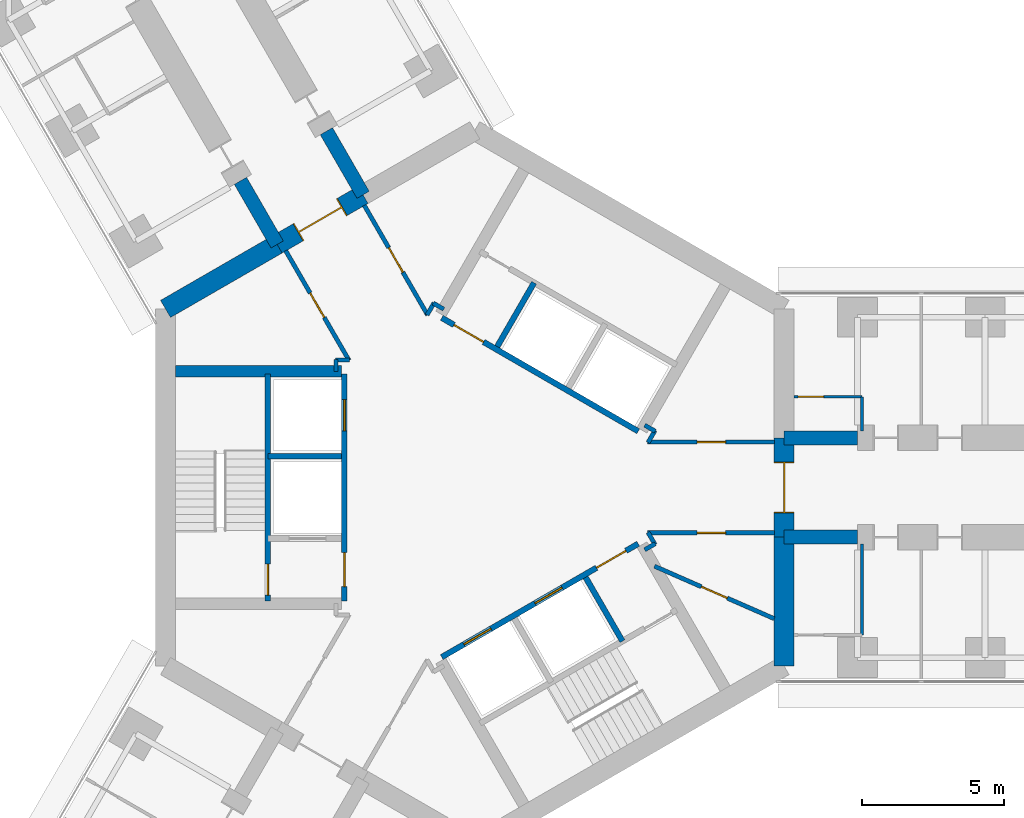
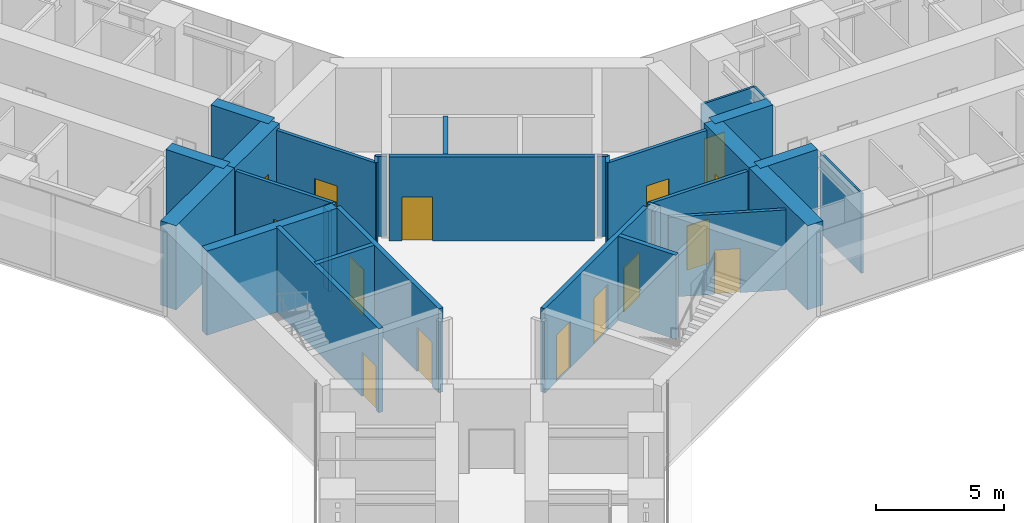
# One storey, part 18 of 25: 32 walls, 15 doors, 15 openings.
"""IFC4 building model written with IfcOpenShell, lengths in metres."""

from ifc_helpers import new_model, si_unit, direction, frame, frame_2d, origin, place, context, subcontext, project, spatial, rectangle, extrude, material, layer, layer_set, type_object, element, fill, save


model = new_model("IFC4")

# Units and contexts
model_context = context("Model", 3, precision=1e-05, world=origin(), true_north=direction((0.0, 1.0)))
body_context = subcontext(model_context, "Body", "Model", "MODEL_VIEW")
ifc_project = project(units=[si_unit("LENGTHUNIT", "METRE"), si_unit("AREAUNIT", "SQUARE_METRE"), si_unit("VOLUMEUNIT", "CUBIC_METRE"), si_unit("PLANEANGLEUNIT", "RADIAN"), si_unit("MASSUNIT", "GRAM", prefix="KILO")], contexts=[model_context])

# Site, building, storey
site_placement = place(None, origin())
site = spatial("IfcSite", under=ifc_project, at=site_placement, CompositionType="ELEMENT")
building_placement = place(site_placement, origin())
building = spatial("IfcBuilding", under=site, at=building_placement, Name="Upepo Twin Towers", CompositionType="ELEMENT")
storey_placement = place(building_placement, frame((0.0, 0.0, 72.5)))
storey = spatial("IfcBuildingStorey", under=building, at=storey_placement, Name="L17", CompositionType="ELEMENT", Elevation=72.5)

# Walls
ifc_material_1 = material(Name="Concrete C60/75", Category="concrete")
ifc_layer_1 = layer(ifc_material_1, 0.5)
ifc_layer_set_1 = layer_set([ifc_layer_1], Name="Concrete C60/75")
wall_type_1 = type_object("IfcWallType", Name="Buttress wall 500 RC", PredefinedType="SHEAR", material=ifc_layer_set_1)
for number, where, z_axis, x_axis, name in (
    (1, (10.908447265625, 1.75, 0.0), (0.0, 0.0, 1.0), (1.0, 0.0, 0.0), "T1 wing A buttress wall L"),
    (2, (10.908447265625, -1.75, 0.0), (0.0, 0.0, 1.0), (1.0, 0.0, 0.0), "T1 wing A buttress wall R"),
):
    element("IfcWall", number, at=place(storey_placement, frame(where, z_axis=z_axis, x_axis=x_axis)), inside=storey, type_object=wall_type_1, Name=name, PredefinedType="SHEAR", context=body_context, shape_type="SweptSolid", body=[
        extrude(rectangle(XDim=2.591552734375, YDim=0.5, at=frame_2d((1.2958984375, 0.0))), origin(), (0.0, 0.0, 1.0), 4.0),
    ])
for number, where, z_axis, x_axis, name in (
    (3, (-6.9697265625, 8.57177734375, 0.0), (0.0, 0.0, 1.0), (-0.499988811324, 0.866031863473, 0.0), "T1 wing B buttress wall L"),
    (4, (-3.938720703125, 10.32177734375, 0.0), (0.0, 0.0, 1.0), (-0.499918158782, 0.866072649678, 0.0), "T1 wing B buttress wall R"),
):
    element("IfcWall", number, at=place(storey_placement, frame(where, z_axis=z_axis, x_axis=x_axis)), inside=storey, type_object=wall_type_1, Name=name, PredefinedType="SHEAR", context=body_context, shape_type="SweptSolid", body=[
        extrude(rectangle(XDim=2.591796875, YDim=0.5, at=frame_2d((1.2958984375, 0.0))), origin(), (0.0, 0.0, 1.0), 4.0),
    ])
ifc_material_2 = material(Name="Concrete C60/75", Category="concrete")
ifc_layer_2 = layer(ifc_material_2, 0.699951171875)
ifc_layer_set_2 = layer_set([ifc_layer_2], Name="Concrete C60/75")
wall_type_2 = type_object("IfcWallType", Name="Core wall 700 RC", PredefinedType="SHEAR", material=ifc_layer_set_2)
wall_1_placement = place(storey_placement, frame((10.908447265625, -6.2978515625, 0.0), z_axis=(0.0, 0.0, 1.0), x_axis=(0.0, 1.0, 0.0)))
element("IfcWall", 5, at=wall_1_placement, inside=storey, type_object=wall_type_2, Name="T1 core wall 000 R", PredefinedType="SHEAR", context=body_context, shape_type="SweptSolid", body=[
    extrude(rectangle(XDim=4.5478515625, YDim=0.699951171875, at=frame_2d((2.27392578125, 0.0))), origin(), (0.0, 0.0, 1.0), 4.0),
])

# Wall, opening, door
wall_2_placement = place(storey_placement, frame((10.908447265625, -1.75, 0.0), z_axis=(0.0, 0.0, 1.0), x_axis=(0.0, 1.0, 0.0)))
wall_2 = element("IfcWall", 6, at=wall_2_placement, inside=storey, type_object=wall_type_2, Name="T1 core wall 000", PredefinedType="SHEAR", context=body_context, shape_type="SweptSolid", body=[
    extrude(rectangle(XDim=3.5, YDim=0.699951171875, at=frame_2d((1.75, 0.0))), origin(), (0.0, 0.0, 1.0), 4.0),
])
opening_1_placement = place(wall_2_placement, frame((0.85009765625, 0.0, 0.0)))
opening_1 = element("IfcOpeningElement", 7, at=opening_1_placement, cuts=wall_2, Name="Opening D2", PredefinedType="OPENING", context=body_context, shape_type="SweptSolid", body=[
    extrude(rectangle(XDim=1.800048828125, YDim=2.10009765625, at=frame_2d((0.89990234375, 1.050048828125))), frame((0.0, 0.35986328125, 0.0), z_axis=(0.0, -1.0, 0.0), x_axis=(1.0, 0.0, 0.0)), (0.0, 0.0, 1.0), 0.719970703125),
])
ifc_material_3 = material(Name="Timber doorset", Category="wood")
door_type_1 = type_object("IfcDoorType", Name="Corridor double door 1800 FD60", OperationType="DOUBLE_DOOR_DOUBLE_SWING", PredefinedType="DOOR", material=ifc_material_3)
door_1_placement = place(opening_1_placement, origin())
door_1 = element("IfcDoor", 8, at=door_1_placement, inside=storey, type_object=door_type_1, Name="T1 L17 wing A corridor door", OperationType="DOUBLE_DOOR_DOUBLE_SWING", OverallHeight=2.10009765625, OverallWidth=1.800048828125, PredefinedType="DOOR", context=body_context, shape_type="SweptSolid", body=[
    extrude(rectangle(XDim=1.720048828125, YDim=2.06009765625, at=frame_2d((0.89990234375, 1.030029296875))), frame((0.0, 0.02490234375, 0.0), z_axis=(0.0, -1.0, 0.0), x_axis=(1.0, 0.0, 0.0)), (0.0, 0.0, 1.0), 0.050048828125),
    extrude(rectangle(XDim=0.04, YDim=2.10009765625, at=frame_2d((0.02001953125, 1.050048828125))), frame((0.0, 0.349609375, 0.0), z_axis=(0.0, -1.0, 0.0), x_axis=(1.0, 0.0, 0.0)), (0.0, 0.0, 1.0), 0.699462890625),
    extrude(rectangle(XDim=0.04, YDim=2.10009765625, at=frame_2d((1.780029296875, 1.050048828125))), frame((0.0, 0.349609375, 0.0), z_axis=(0.0, -1.0, 0.0), x_axis=(1.0, 0.0, 0.0)), (0.0, 0.0, 1.0), 0.699462890625),
    extrude(rectangle(XDim=1.720048828125, YDim=0.04, at=frame_2d((0.89990234375, 2.080078125))), frame((0.0, 0.349609375, 0.0), z_axis=(0.0, -1.0, 0.0), x_axis=(1.0, 0.0, 0.0)), (0.0, 0.0, 1.0), 0.699462890625),
])
fill(opening_1, door_1)

wall_3_placement = place(storey_placement, frame((-3.938720703125, 10.32177734375, 0.0), z_axis=(0.0, 0.0, 1.0), x_axis=(-0.866019471182, -0.500010275428, 0.0)))
wall_3 = element("IfcWall", 9, at=wall_3_placement, inside=storey, type_object=wall_type_2, Name="T1 core wall 120", PredefinedType="SHEAR", context=body_context, shape_type="SweptSolid", body=[
    extrude(rectangle(XDim=3.5, YDim=0.699951171875, at=frame_2d((1.75, 0.0))), origin(), (0.0, 0.0, 1.0), 4.0),
])
opening_2_placement = place(wall_3_placement, frame((0.85009765625, 0.0, 0.0)))
opening_2 = element("IfcOpeningElement", 10, at=opening_2_placement, cuts=wall_3, Name="Opening D2", PredefinedType="OPENING", context=body_context, shape_type="SweptSolid", body=[
    extrude(rectangle(XDim=1.800048828125, YDim=2.10009765625, at=frame_2d((0.89990234375, 1.050048828125))), frame((0.0, 0.35986328125, 0.0), z_axis=(0.0, -1.0, 0.0), x_axis=(1.0, 0.0, 0.0)), (0.0, 0.0, 1.0), 0.719970703125),
])
door_2_placement = place(opening_2_placement, origin())
door_2 = element("IfcDoor", 11, at=door_2_placement, inside=storey, type_object=door_type_1, Name="T1 L17 wing B corridor door", OperationType="DOUBLE_DOOR_DOUBLE_SWING", OverallHeight=2.10009765625, OverallWidth=1.800048828125, PredefinedType="DOOR", context=body_context, shape_type="SweptSolid", body=[
    extrude(rectangle(XDim=1.720048828125, YDim=2.06009765625, at=frame_2d((0.89990234375, 1.030029296875))), frame((0.0, 0.02490234375, 0.0), z_axis=(0.0, -1.0, 0.0), x_axis=(1.0, 0.0, 0.0)), (0.0, 0.0, 1.0), 0.050048828125),
    extrude(rectangle(XDim=0.04, YDim=2.10009765625, at=frame_2d((0.02001953125, 1.050048828125))), frame((0.0, 0.349609375, 0.0), z_axis=(0.0, -1.0, 0.0), x_axis=(1.0, 0.0, 0.0)), (0.0, 0.0, 1.0), 0.699462890625),
    extrude(rectangle(XDim=0.04, YDim=2.10009765625, at=frame_2d((1.780029296875, 1.050048828125))), frame((0.0, 0.349609375, 0.0), z_axis=(0.0, -1.0, 0.0), x_axis=(1.0, 0.0, 0.0)), (0.0, 0.0, 1.0), 0.699462890625),
    extrude(rectangle(XDim=1.720048828125, YDim=0.04, at=frame_2d((0.89990234375, 2.080078125))), frame((0.0, 0.349609375, 0.0), z_axis=(0.0, -1.0, 0.0), x_axis=(1.0, 0.0, 0.0)), (0.0, 0.0, 1.0), 0.699462890625),
])
fill(opening_2, door_2)

# Wall
wall_4_placement = place(storey_placement, frame((-6.9697265625, 8.57177734375, 0.0), z_axis=(0.0, 0.0, 1.0), x_axis=(-0.866034513004, -0.499984222037, 0.0)))
element("IfcWall", 12, at=wall_4_placement, inside=storey, type_object=wall_type_2, Name="T1 core wall 120 L", PredefinedType="SHEAR", context=body_context, shape_type="SweptSolid", body=[
    extrude(rectangle(XDim=4.548095703125, YDim=0.699951171875, at=frame_2d((2.27392578125, 0.0))), origin(), (0.0, 0.0, 1.0), 4.0),
])

# Wall, opening, door
ifc_material_4 = material(Name="Gypsum board on steel studs", Category="steel")
ifc_layer_3 = layer(ifc_material_4, 0.10009765625)
ifc_layer_set_3 = layer_set([ifc_layer_3], Name="Office partition 100 stud")
wall_type_3 = type_object("IfcWallType", Name="Office partition 100 stud", PredefinedType="PARTITIONING", material=ifc_layer_set_3)
wall_5_placement = place(storey_placement, frame((11.258056640625, 3.199951171875, 0.0), z_axis=(0.0, 0.0, 1.0), x_axis=(1.0, 0.0, 0.0)))
wall_5 = element("IfcWall", 13, at=wall_5_placement, inside=storey, type_object=wall_type_3, Name="T1 WC bay partition AL at 11.26", PredefinedType="PARTITIONING", context=body_context, shape_type="SweptSolid", body=[
    extrude(rectangle(XDim=2.39990234375, YDim=0.10009765625, at=frame_2d((1.199951171875, 0.0))), origin(), (0.0, 0.0, 1.0), 3.800048828125),
])
opening_3_placement = place(wall_5_placement, frame((0.14990234375, 0.0, 0.0)))
opening_3 = element("IfcOpeningElement", 14, at=opening_3_placement, cuts=wall_5, Name="Opening D14", PredefinedType="OPENING", context=body_context, shape_type="SweptSolid", body=[
    extrude(rectangle(XDim=0.89990234375, YDim=2.10009765625, at=frame_2d((0.449951171875, 1.050048828125))), frame((0.0, 0.06005859375, 0.0), z_axis=(0.0, -1.0, 0.0), x_axis=(1.0, 0.0, 0.0)), (0.0, 0.0, 1.0), 0.1201171875),
])
ifc_material_5 = material(Name="Timber doorset", Category="wood")
door_type_2 = type_object("IfcDoorType", Name="Office door 900 FD30", OperationType="SINGLE_SWING_LEFT", PredefinedType="DOOR", material=ifc_material_5)
door_3_placement = place(opening_3_placement, origin())
door_3 = element("IfcDoor", 15, at=door_3_placement, inside=storey, type_object=door_type_2, Name="T1 L17 WC bay inner room door", OperationType="SINGLE_SWING_LEFT", OverallHeight=2.10009765625, OverallWidth=0.89990234375, PredefinedType="DOOR", context=body_context, shape_type="SweptSolid", body=[
    extrude(rectangle(XDim=0.89990234375, YDim=2.10009765625, at=frame_2d((0.449951171875, 1.050048828125))), frame((0.0, 0.02490234375, 0.0), z_axis=(0.0, -1.0, 0.0), x_axis=(1.0, 0.0, 0.0)), (0.0, 0.0, 1.0), 0.050048828125),
])
fill(opening_3, door_3)

# Walls
wall_6_placement = place(storey_placement, frame((13.657958984375, 2.0, 0.0), z_axis=(0.0, 0.0, 1.0), x_axis=(0.0, 1.0, 0.0)))
element("IfcWall", 16, at=wall_6_placement, inside=storey, type_object=wall_type_3, Name="T1 WC bay partition AL end at 13.66", PredefinedType="PARTITIONING", context=body_context, shape_type="SweptSolid", body=[
    extrude(rectangle(XDim=1.199951171875, YDim=0.10009765625, at=frame_2d((0.60009765625, 0.0))), origin(), (0.0, 0.0, 1.0), 3.800048828125),
])
wall_7_placement = place(storey_placement, frame((13.657958984375, -2.0, 0.0), z_axis=(0.0, 0.0, 1.0), x_axis=(0.0, -1.0, 0.0)))
element("IfcWall", 17, at=wall_7_placement, inside=storey, type_object=wall_type_3, Name="T1 WC bay partition AR end at 13.66", PredefinedType="PARTITIONING", context=body_context, shape_type="SweptSolid", body=[
    extrude(rectangle(XDim=3.199951171875, YDim=0.10009765625, at=frame_2d((1.60009765625, 0.0))), origin(), (0.0, 0.0, 1.0), 3.800048828125),
])

# Wall, opening, door
ifc_material_6 = material(Name="Concrete C40/50", Category="concrete")
ifc_layer_4 = layer(ifc_material_6, 0.199951171875)
ifc_layer_set_4 = layer_set([ifc_layer_4], Name="Concrete C40/50")
wall_type_4 = type_object("IfcWallType", Name="Shaft wall 200 RC", PredefinedType="SHEAR", material=ifc_layer_set_4)
wall_8_placement = place(storey_placement, frame((5.76416015625, 1.983642578125, 0.0), z_axis=(0.0, 0.0, 1.0), x_axis=(-0.866026010844, 0.49999894854, 0.0)))
wall_8 = element("IfcWall", 18, at=wall_8_placement, inside=storey, type_object=wall_type_4, Name="T1 core W60 front wall", PredefinedType="SHEAR", context=body_context, shape_type="SweptSolid", body=[
    extrude(rectangle(XDim=8.0, YDim=0.199951171875, at=frame_2d((4.0, 0.0))), origin(), (0.0, 0.0, 1.0), 4.0),
])
opening_4_placement = place(wall_8_placement, frame((6.300048828125, 0.0, 0.0)))
opening_4 = element("IfcOpeningElement", 19, at=opening_4_placement, cuts=wall_8, Name="Opening D4", PredefinedType="OPENING", context=body_context, shape_type="SweptSolid", body=[
    extrude(rectangle(XDim=1.199951171875, YDim=2.10009765625, at=frame_2d((0.60009765625, 1.050048828125))), frame((0.0, 0.10986328125, 0.0), z_axis=(0.0, -1.0, 0.0), x_axis=(1.0, 0.0, 0.0)), (0.0, 0.0, 1.0), 0.219970703125),
])
ifc_material_7 = material(Name="Timber doorset", Category="wood")
door_type_3 = type_object("IfcDoorType", Name="Lobby door 1200 FD60", OperationType="SINGLE_SWING_LEFT", PredefinedType="DOOR", material=ifc_material_7)
door_4_placement = place(opening_4_placement, origin())
door_4 = element("IfcDoor", 20, at=door_4_placement, inside=storey, type_object=door_type_3, Name="T1 L17 W60 lobby door", OperationType="SINGLE_SWING_RIGHT", OverallHeight=2.10009765625, OverallWidth=1.199951171875, PredefinedType="DOOR", context=body_context, shape_type="SweptSolid", body=[
    extrude(rectangle(XDim=1.199951171875, YDim=2.10009765625, at=frame_2d((0.60009765625, 1.050048828125))), frame((0.0, 0.02490234375, 0.0), z_axis=(0.0, -1.0, 0.0), x_axis=(1.0, 0.0, 0.0)), (0.0, 0.0, 1.0), 0.050048828125),
])
fill(opening_4, door_4)

# Wall
wall_9_placement = place(storey_placement, frame((0.791259765625, 4.97021484375, 0.0), z_axis=(0.0, 0.0, 1.0), x_axis=(0.499936506574, 0.866062058628, 0.0)))
element("IfcWall", 21, at=wall_9_placement, inside=storey, type_object=wall_type_4, Name="T1 core W60 lobby wall", PredefinedType="SHEAR", context=body_context, shape_type="SweptSolid", body=[
    extrude(rectangle(XDim=2.599853515625, YDim=0.199951171875, at=frame_2d((1.2998046875, 0.0))), origin(), (0.0, 0.0, 1.0), 4.0),
])

# Wall, openings, doors
wall_10_placement = place(storey_placement, frame((-4.60009765625, 4.0, 0.0), z_axis=(0.0, 0.0, 1.0), x_axis=(0.0, -1.0, 0.0)))
wall_10 = element("IfcWall", 22, at=wall_10_placement, inside=storey, type_object=wall_type_4, Name="T1 core W180 front wall", PredefinedType="SHEAR", context=body_context, shape_type="SweptSolid", body=[
    extrude(rectangle(XDim=8.0, YDim=0.199951171875, at=frame_2d((4.0, 0.0))), origin(), (0.0, 0.0, 1.0), 4.0),
])
opening_5_placement = place(wall_10_placement, frame((6.300048828125, 0.0, 0.0)))
opening_5 = element("IfcOpeningElement", 23, at=opening_5_placement, cuts=wall_10, Name="Opening D4", PredefinedType="OPENING", context=body_context, shape_type="SweptSolid", body=[
    extrude(rectangle(XDim=1.199951171875, YDim=2.10009765625, at=frame_2d((0.60009765625, 1.050048828125))), frame((0.0, 0.10986328125, 0.0), z_axis=(0.0, -1.0, 0.0), x_axis=(1.0, 0.0, 0.0)), (0.0, 0.0, 1.0), 0.219970703125),
])
opening_6_placement = place(wall_10_placement, frame((0.89990234375, 0.0, 0.0)))
opening_6 = element("IfcOpeningElement", 24, at=opening_6_placement, cuts=wall_10, Name="Opening LD1", PredefinedType="OPENING", context=body_context, shape_type="SweptSolid", body=[
    extrude(rectangle(XDim=1.10009765625, YDim=2.199951171875, at=frame_2d((0.550048828125, 1.10009765625))), frame((0.0, 0.10986328125, 0.0), z_axis=(0.0, -1.0, 0.0), x_axis=(1.0, 0.0, 0.0)), (0.0, 0.0, 1.0), 0.219970703125),
])
ifc_material_8 = material(Name="Steel doorset", Category="steel")
door_type_4 = type_object("IfcDoorType", Name="Lift landing door 1100", OperationType="DOUBLE_DOOR_SLIDING", PredefinedType="DOOR", material=ifc_material_8)
door_5_placement = place(opening_6_placement, origin())
door_5 = element("IfcDoor", 25, at=door_5_placement, inside=storey, type_object=door_type_4, Name="T1 L17 lift SV1 landing door", OperationType="DOUBLE_DOOR_SLIDING", OverallHeight=2.199951171875, OverallWidth=1.10009765625, PredefinedType="DOOR", context=body_context, shape_type="SweptSolid", body=[
    extrude(rectangle(XDim=1.10009765625, YDim=2.199951171875, at=frame_2d((0.550048828125, 1.10009765625))), frame((0.0, 0.02490234375, 0.0), z_axis=(0.0, -1.0, 0.0), x_axis=(1.0, 0.0, 0.0)), (0.0, 0.0, 1.0), 0.050048828125),
])
fill(opening_6, door_5)
door_6_placement = place(opening_5_placement, origin())
door_6 = element("IfcDoor", 26, at=door_6_placement, inside=storey, type_object=door_type_3, Name="T1 L17 W180 lobby door", OperationType="SINGLE_SWING_RIGHT", OverallHeight=2.10009765625, OverallWidth=1.199951171875, PredefinedType="DOOR", context=body_context, shape_type="SweptSolid", body=[
    extrude(rectangle(XDim=1.199951171875, YDim=2.10009765625, at=frame_2d((0.60009765625, 1.050048828125))), frame((0.0, 0.02490234375, 0.0), z_axis=(0.0, -1.0, 0.0), x_axis=(1.0, 0.0, 0.0)), (0.0, 0.0, 1.0), 0.050048828125),
])
fill(opening_5, door_6)

# Wall
wall_11_placement = place(storey_placement, frame((-4.699951171875, 1.10009765625, 0.0), z_axis=(0.0, 0.0, 1.0), x_axis=(-1.0, 0.0, 0.0)))
element("IfcWall", 27, at=wall_11_placement, inside=storey, type_object=wall_type_4, Name="T1 core W180 shaft divider", PredefinedType="SHEAR", context=body_context, shape_type="SweptSolid", body=[
    extrude(rectangle(XDim=2.60009765625, YDim=0.199951171875, at=frame_2d((1.300048828125, 0.0))), origin(), (0.0, 0.0, 1.0), 4.0),
])

# Wall, opening, door
wall_12_placement = place(storey_placement, frame((-7.300048828125, 4.0, 0.0), z_axis=(0.0, 0.0, 1.0), x_axis=(0.0, -1.0, 0.0)))
wall_12 = element("IfcWall", 28, at=wall_12_placement, inside=storey, type_object=wall_type_4, Name="T1 core W180 stair wall", PredefinedType="SHEAR", context=body_context, shape_type="SweptSolid", body=[
    extrude(rectangle(XDim=8.0, YDim=0.199951171875, at=frame_2d((4.0, 0.0))), origin(), (0.0, 0.0, 1.0), 4.0),
])
opening_7_placement = place(wall_12_placement, frame((6.699951171875, 0.0, 0.0)))
opening_7 = element("IfcOpeningElement", 29, at=opening_7_placement, cuts=wall_12, Name="Opening D3", PredefinedType="OPENING", context=body_context, shape_type="SweptSolid", body=[
    extrude(rectangle(XDim=1.10009765625, YDim=2.10009765625, at=frame_2d((0.550048828125, 1.050048828125))), frame((0.0, 0.10986328125, 0.0), z_axis=(0.0, -1.0, 0.0), x_axis=(1.0, 0.0, 0.0)), (0.0, 0.0, 1.0), 0.219970703125),
])
ifc_material_9 = material(Name="Timber doorset", Category="wood")
door_type_5 = type_object("IfcDoorType", Name="Stair door 1100 FD60", OperationType="SINGLE_SWING_LEFT", PredefinedType="DOOR", material=ifc_material_9)
door_7_placement = place(opening_7_placement, origin())
door_7 = element("IfcDoor", 30, at=door_7_placement, inside=storey, type_object=door_type_5, Name="T1 L17 stair door", OperationType="SINGLE_SWING_RIGHT", OverallHeight=2.10009765625, OverallWidth=1.10009765625, PredefinedType="DOOR", context=body_context, shape_type="SweptSolid", body=[
    extrude(rectangle(XDim=1.10009765625, YDim=2.10009765625, at=frame_2d((0.550048828125, 1.050048828125))), frame((0.0, 0.02490234375, 0.0), z_axis=(0.0, -1.0, 0.0), x_axis=(1.0, 0.0, 0.0)), (0.0, 0.0, 1.0), 0.050048828125),
])
fill(opening_7, door_7)

# Wall, openings, doors
wall_13_placement = place(storey_placement, frame((-1.1640625, -5.983642578125, 0.0), z_axis=(0.0, 0.0, 1.0), x_axis=(0.866026010844, 0.49999894854, 0.0)))
wall_13 = element("IfcWall", 31, at=wall_13_placement, inside=storey, type_object=wall_type_4, Name="T1 core W300 front wall", PredefinedType="SHEAR", context=body_context, shape_type="SweptSolid", body=[
    extrude(rectangle(XDim=8.0, YDim=0.199951171875, at=frame_2d((4.0, 0.0))), origin(), (0.0, 0.0, 1.0), 4.0),
])
opening_8_placement = place(wall_13_placement, frame((6.300048828125, 0.0, 0.0)))
opening_8 = element("IfcOpeningElement", 32, at=opening_8_placement, cuts=wall_13, Name="Opening D4", PredefinedType="OPENING", context=body_context, shape_type="SweptSolid", body=[
    extrude(rectangle(XDim=1.199951171875, YDim=2.10009765625, at=frame_2d((0.60009765625, 1.050048828125))), frame((0.0, 0.10986328125, 0.0), z_axis=(0.0, -1.0, 0.0), x_axis=(1.0, 0.0, 0.0)), (0.0, 0.0, 1.0), 0.219970703125),
])
opening_9_placement = place(wall_13_placement, frame((0.89990234375, 0.0, 0.0)))
opening_9 = element("IfcOpeningElement", 33, at=opening_9_placement, cuts=wall_13, Name="Opening LD1", PredefinedType="OPENING", context=body_context, shape_type="SweptSolid", body=[
    extrude(rectangle(XDim=1.10009765625, YDim=2.199951171875, at=frame_2d((0.550048828125, 1.10009765625))), frame((0.0, 0.10986328125, 0.0), z_axis=(0.0, -1.0, 0.0), x_axis=(1.0, 0.0, 0.0)), (0.0, 0.0, 1.0), 0.219970703125),
])
opening_10_placement = place(wall_13_placement, frame((3.800048828125, 0.0, 0.0)))
opening_10 = element("IfcOpeningElement", 34, at=opening_10_placement, cuts=wall_13, Name="Opening LD1", PredefinedType="OPENING", context=body_context, shape_type="SweptSolid", body=[
    extrude(rectangle(XDim=1.10009765625, YDim=2.199951171875, at=frame_2d((0.550048828125, 1.10009765625))), frame((0.0, 0.10986328125, 0.0), z_axis=(0.0, -1.0, 0.0), x_axis=(1.0, 0.0, 0.0)), (0.0, 0.0, 1.0), 0.219970703125),
])
door_8_placement = place(opening_9_placement, origin())
door_8 = element("IfcDoor", 35, at=door_8_placement, inside=storey, type_object=door_type_4, Name="T1 L17 lift LL1 landing door", OperationType="DOUBLE_DOOR_SLIDING", OverallHeight=2.199951171875, OverallWidth=1.10009765625, PredefinedType="DOOR", context=body_context, shape_type="SweptSolid", body=[
    extrude(rectangle(XDim=1.10009765625, YDim=2.199951171875, at=frame_2d((0.550048828125, 1.10009765625))), frame((0.0, 0.02490234375, 0.0), z_axis=(0.0, -1.0, 0.0), x_axis=(1.0, 0.0, 0.0)), (0.0, 0.0, 1.0), 0.050048828125),
])
fill(opening_9, door_8)
door_9_placement = place(opening_10_placement, origin())
door_9 = element("IfcDoor", 36, at=door_9_placement, inside=storey, type_object=door_type_4, Name="T1 L17 lift LL2 landing door", OperationType="DOUBLE_DOOR_SLIDING", OverallHeight=2.199951171875, OverallWidth=1.10009765625, PredefinedType="DOOR", context=body_context, shape_type="SweptSolid", body=[
    extrude(rectangle(XDim=1.10009765625, YDim=2.199951171875, at=frame_2d((0.550048828125, 1.10009765625))), frame((0.0, 0.02490234375, 0.0), z_axis=(0.0, -1.0, 0.0), x_axis=(1.0, 0.0, 0.0)), (0.0, 0.0, 1.0), 0.050048828125),
])
fill(opening_10, door_9)
door_10_placement = place(opening_8_placement, origin())
door_10 = element("IfcDoor", 37, at=door_10_placement, inside=storey, type_object=door_type_3, Name="T1 L17 W300 lobby door", OperationType="SINGLE_SWING_RIGHT", OverallHeight=2.10009765625, OverallWidth=1.199951171875, PredefinedType="DOOR", context=body_context, shape_type="SweptSolid", body=[
    extrude(rectangle(XDim=1.199951171875, YDim=2.10009765625, at=frame_2d((0.60009765625, 1.050048828125))), frame((0.0, 0.02490234375, 0.0), z_axis=(0.0, -1.0, 0.0), x_axis=(1.0, 0.0, 0.0)), (0.0, 0.0, 1.0), 0.050048828125),
])
fill(opening_8, door_10)

# Walls
wall_14_placement = place(storey_placement, frame((3.908935546875, -3.17041015625, 0.0), z_axis=(0.0, 0.0, 1.0), x_axis=(0.49997716683, -0.86603858612, 0.0)))
element("IfcWall", 38, at=wall_14_placement, inside=storey, type_object=wall_type_4, Name="T1 core W300 lobby wall", PredefinedType="SHEAR", context=body_context, shape_type="SweptSolid", body=[
    extrude(rectangle(XDim=2.599609375, YDim=0.199951171875, at=frame_2d((1.2998046875, 0.0))), origin(), (0.0, 0.0, 1.0), 4.0),
])
ifc_material_10 = material(Name="Concrete C40/50", Category="concrete")
ifc_layer_5 = layer(ifc_material_10, 0.39990234375)
ifc_layer_set_5 = layer_set([ifc_layer_5], Name="Concrete C40/50")
wall_type_5 = type_object("IfcWallType", Name="Shaft wall 400 RC", PredefinedType="SHEAR", material=ifc_layer_set_5)
wall_15_placement = place(storey_placement, frame((-4.699951171875, 4.10009765625, 0.0), z_axis=(0.0, 0.0, 1.0), x_axis=(-1.0, 0.0, 0.0)))
element("IfcWall", 39, at=wall_15_placement, inside=storey, type_object=wall_type_5, Name="T1 core W180 side wall S", PredefinedType="SHEAR", context=body_context, shape_type="SweptSolid", body=[
    extrude(rectangle(XDim=5.8583984375, YDim=0.39990234375, at=frame_2d((2.92919921875, 0.0))), origin(), (0.0, 0.0, 1.0), 4.0),
])
ifc_material_11 = material(Name="Gypsum board on steel studs", Category="steel")
ifc_layer_6 = layer(ifc_material_11, 0.14990234375)
ifc_layer_set_6 = layer_set([ifc_layer_6], Name="Teaching partition 150 acoustic")
wall_type_6 = type_object("IfcWallType", Name="Teaching partition 150 acoustic", PredefinedType="PARTITIONING", material=ifc_layer_set_6)
for number, where, z_axis, x_axis, name in (
    (40, (6.364501953125, -1.9833984375, 0.0), (0.0, 0.0, 1.0), (-0.865892400268, -0.500230298122, 0.0), "T1 core room partition 1"),
    (41, (-4.89990234375, 4.090087890625, 0.0), (0.0, 0.0, 1.0), (0.0, 1.0, 0.0), "T1 core room partition 8"),
):
    element("IfcWall", number, at=place(storey_placement, frame(where, z_axis=z_axis, x_axis=x_axis)), inside=storey, type_object=wall_type_6, Name=name, PredefinedType="PARTITIONING", context=body_context, shape_type="SweptSolid", body=[
        extrude(rectangle(XDim=0.429931640625, YDim=0.14990234375, at=frame_2d((0.21484375, 0.0))), origin(), (0.0, 0.0, 1.0), 3.800048828125),
    ])
wall_16_placement = place(storey_placement, frame((-4.919921875, 4.5, 0.0), z_axis=(0.0, 0.0, 1.0), x_axis=(1.0, 0.0, 0.0)))
element("IfcWall", 42, at=wall_16_placement, inside=storey, type_object=wall_type_6, Name="T1 core room partition 9", PredefinedType="PARTITIONING", context=body_context, shape_type="SweptSolid", body=[
    extrude(rectangle(XDim=0.494384765625, YDim=0.14990234375, at=frame_2d((0.2470703125, 0.0))), origin(), (0.0, 0.0, 1.0), 3.800048828125),
])

# Wall, opening, door
wall_17_placement = place(storey_placement, frame((-4.435546875, 4.482666015625, 0.0), z_axis=(0.0, 0.0, 1.0), x_axis=(-0.500017246033, 0.866015446554, 0.0)))
wall_17 = element("IfcWall", 43, at=wall_17_placement, inside=storey, type_object=wall_type_6, Name="T1 core room partition 10", PredefinedType="PARTITIONING", context=body_context, shape_type="SweptSolid", body=[
    extrude(rectangle(XDim=4.468505859375, YDim=0.14990234375, at=frame_2d((2.234375, 0.0))), origin(), (0.0, 0.0, 1.0), 3.800048828125),
])
opening_11_placement = place(wall_17_placement, frame((1.744384765625, 0.0, 0.0)))
opening_11 = element("IfcOpeningElement", 44, at=opening_11_placement, cuts=wall_17, Name="Opening D1", PredefinedType="OPENING", context=body_context, shape_type="SweptSolid", body=[
    extrude(rectangle(XDim=1.0, YDim=2.10009765625, at=frame_2d((0.5, 1.050048828125))), frame((0.0, 0.0849609375, 0.0), z_axis=(0.0, -1.0, 0.0), x_axis=(1.0, 0.0, 0.0)), (0.0, 0.0, 1.0), 0.169921875),
])
ifc_material_12 = material(Name="Timber doorset", Category="wood")
door_type_6 = type_object("IfcDoorType", Name="Room door 1000 FD30", OperationType="SINGLE_SWING_LEFT", PredefinedType="DOOR", material=ifc_material_12)
door_11_placement = place(opening_11_placement, origin())
door_11 = element("IfcDoor", 45, at=door_11_placement, inside=storey, type_object=door_type_6, Name="T1 L17 core room door K7", OperationType="SINGLE_SWING_RIGHT", OverallHeight=2.10009765625, OverallWidth=1.0, PredefinedType="DOOR", context=body_context, shape_type="SweptSolid", body=[
    extrude(rectangle(XDim=1.0, YDim=2.10009765625, at=frame_2d((0.5, 1.050048828125))), frame((0.0, 0.02490234375, 0.0), z_axis=(0.0, -1.0, 0.0), x_axis=(1.0, 0.0, 0.0)), (0.0, 0.0, 1.0), 0.050048828125),
])
fill(opening_11, door_11)

wall_18_placement = place(storey_placement, frame((-3.8984375, 9.952392578125, 0.0), z_axis=(0.0, 0.0, 1.0), x_axis=(0.499999927604, -0.866025445582, 0.0)))
wall_18 = element("IfcWall", 46, at=wall_18_placement, inside=storey, type_object=wall_type_6, Name="T1 core room partition 11", PredefinedType="PARTITIONING", context=body_context, shape_type="SweptSolid", body=[
    extrude(rectangle(XDim=4.46826171875, YDim=0.14990234375, at=frame_2d((2.234130859375, 0.0))), origin(), (0.0, 0.0, 1.0), 3.800048828125),
])
opening_12_placement = place(wall_18_placement, frame((1.72412109375, 0.0, 0.0)))
opening_12 = element("IfcOpeningElement", 47, at=opening_12_placement, cuts=wall_18, Name="Opening D1", PredefinedType="OPENING", context=body_context, shape_type="SweptSolid", body=[
    extrude(rectangle(XDim=1.0, YDim=2.10009765625, at=frame_2d((0.5, 1.050048828125))), frame((0.0, 0.0849609375, 0.0), z_axis=(0.0, -1.0, 0.0), x_axis=(1.0, 0.0, 0.0)), (0.0, 0.0, 1.0), 0.169921875),
])
door_12_placement = place(opening_12_placement, origin())
door_12 = element("IfcDoor", 48, at=door_12_placement, inside=storey, type_object=door_type_6, Name="T1 L17 core room door K6", OperationType="SINGLE_SWING_LEFT", OverallHeight=2.10009765625, OverallWidth=1.0, PredefinedType="DOOR", context=body_context, shape_type="SweptSolid", body=[
    extrude(rectangle(XDim=1.0, YDim=2.10009765625, at=frame_2d((0.5, 1.050048828125))), frame((0.0, 0.02490234375, 0.0), z_axis=(0.0, -1.0, 0.0), x_axis=(1.0, 0.0, 0.0)), (0.0, 0.0, 1.0), 0.050048828125),
])
fill(opening_12, door_12)

# Walls
wall_19_placement = place(storey_placement, frame((-1.684326171875, 6.082763671875, 0.0), z_axis=(0.0, 0.0, 1.0), x_axis=(0.50033519877, 0.865831790172, 0.0)))
element("IfcWall", 49, at=wall_19_placement, inside=storey, type_object=wall_type_6, Name="T1 core room partition 12", PredefinedType="PARTITIONING", context=body_context, shape_type="SweptSolid", body=[
    extrude(rectangle(XDim=0.494384765625, YDim=0.14990234375, at=frame_2d((0.2470703125, 0.0))), origin(), (0.0, 0.0, 1.0), 3.800048828125),
])
for number, where, z_axis, x_axis, name in (
    (50, (-1.46435546875, 6.50341796875, 0.0), (0.0, 0.0, 1.0), (0.866138304741, -0.499804398801, 0.0), "T1 core room partition 13"),
    (51, (5.9921875, 2.198486328125, 0.0), (0.0, 0.0, 1.0), (0.865892400268, -0.500230298122, 0.0), "T1 core room partition 14"),
):
    element("IfcWall", number, at=place(storey_placement, frame(where, z_axis=z_axis, x_axis=x_axis)), inside=storey, type_object=wall_type_6, Name=name, PredefinedType="PARTITIONING", context=body_context, shape_type="SweptSolid", body=[
        extrude(rectangle(XDim=0.429931640625, YDim=0.14990234375, at=frame_2d((0.21484375, 0.0))), origin(), (0.0, 0.0, 1.0), 3.800048828125),
    ])
wall_20_placement = place(storey_placement, frame((6.357177734375, 2.0107421875, 0.0), z_axis=(0.0, 0.0, 1.0), x_axis=(-0.50033519877, -0.865831790172, 0.0)))
element("IfcWall", 52, at=wall_20_placement, inside=storey, type_object=wall_type_6, Name="T1 core room partition 15", PredefinedType="PARTITIONING", context=body_context, shape_type="SweptSolid", body=[
    extrude(rectangle(XDim=0.494384765625, YDim=0.14990234375, at=frame_2d((0.2470703125, 0.0))), origin(), (0.0, 0.0, 1.0), 3.800048828125),
])

# Wall, opening, door
wall_21_placement = place(storey_placement, frame((6.099853515625, 1.60009765625, 0.0), z_axis=(0.0, 0.0, 1.0), x_axis=(1.0, 0.0, 0.0)))
wall_21 = element("IfcWall", 53, at=wall_21_placement, inside=storey, type_object=wall_type_6, Name="T1 core room partition 16", PredefinedType="PARTITIONING", context=body_context, shape_type="SweptSolid", body=[
    extrude(rectangle(XDim=4.468505859375, YDim=0.14990234375, at=frame_2d((2.234375, 0.0))), origin(), (0.0, 0.0, 1.0), 3.800048828125),
])
opening_13_placement = place(wall_21_placement, frame((1.744384765625, 0.0, 0.0)))
opening_13 = element("IfcOpeningElement", 54, at=opening_13_placement, cuts=wall_21, Name="Opening D1", PredefinedType="OPENING", context=body_context, shape_type="SweptSolid", body=[
    extrude(rectangle(XDim=1.0, YDim=2.10009765625, at=frame_2d((0.5, 1.050048828125))), frame((0.0, 0.0849609375, 0.0), z_axis=(0.0, -1.0, 0.0), x_axis=(1.0, 0.0, 0.0)), (0.0, 0.0, 1.0), 0.169921875),
])
door_13_placement = place(opening_13_placement, origin())
door_13 = element("IfcDoor", 55, at=door_13_placement, inside=storey, type_object=door_type_6, Name="T1 L17 core room door K5", OperationType="SINGLE_SWING_RIGHT", OverallHeight=2.10009765625, OverallWidth=1.0, PredefinedType="DOOR", context=body_context, shape_type="SweptSolid", body=[
    extrude(rectangle(XDim=1.0, YDim=2.10009765625, at=frame_2d((0.5, 1.050048828125))), frame((0.0, 0.02490234375, 0.0), z_axis=(0.0, -1.0, 0.0), x_axis=(1.0, 0.0, 0.0)), (0.0, 0.0, 1.0), 0.050048828125),
])
fill(opening_13, door_13)

wall_22_placement = place(storey_placement, frame((10.568359375, -1.60009765625, 0.0), z_axis=(0.0, 0.0, 1.0), x_axis=(-1.0, 0.0, 0.0)))
wall_22 = element("IfcWall", 56, at=wall_22_placement, inside=storey, type_object=wall_type_6, Name="T1 core room partition 17", PredefinedType="PARTITIONING", context=body_context, shape_type="SweptSolid", body=[
    extrude(rectangle(XDim=4.468505859375, YDim=0.14990234375, at=frame_2d((2.234375, 0.0))), origin(), (0.0, 0.0, 1.0), 3.800048828125),
])
opening_14_placement = place(wall_22_placement, frame((1.72412109375, 0.0, 0.0)))
opening_14 = element("IfcOpeningElement", 57, at=opening_14_placement, cuts=wall_22, Name="Opening D1", PredefinedType="OPENING", context=body_context, shape_type="SweptSolid", body=[
    extrude(rectangle(XDim=1.0, YDim=2.10009765625, at=frame_2d((0.5, 1.050048828125))), frame((0.0, 0.0849609375, 0.0), z_axis=(0.0, -1.0, 0.0), x_axis=(1.0, 0.0, 0.0)), (0.0, 0.0, 1.0), 0.169921875),
])
door_14_placement = place(opening_14_placement, origin())
door_14 = element("IfcDoor", 58, at=door_14_placement, inside=storey, type_object=door_type_6, Name="T1 L17 core room door K3", OperationType="SINGLE_SWING_LEFT", OverallHeight=2.10009765625, OverallWidth=1.0, PredefinedType="DOOR", context=body_context, shape_type="SweptSolid", body=[
    extrude(rectangle(XDim=1.0, YDim=2.10009765625, at=frame_2d((0.5, 1.050048828125))), frame((0.0, 0.02490234375, 0.0), z_axis=(0.0, -1.0, 0.0), x_axis=(1.0, 0.0, 0.0)), (0.0, 0.0, 1.0), 0.050048828125),
])
fill(opening_14, door_14)

# Wall
wall_23_placement = place(storey_placement, frame((6.10986328125, -1.582763671875, 0.0), z_axis=(0.0, 0.0, 1.0), x_axis=(0.50033519877, -0.865831790172, 0.0)))
element("IfcWall", 59, at=wall_23_placement, inside=storey, type_object=wall_type_6, Name="T1 core room partition 18", PredefinedType="PARTITIONING", context=body_context, shape_type="SweptSolid", body=[
    extrude(rectangle(XDim=0.494384765625, YDim=0.14990234375, at=frame_2d((0.2470703125, 0.0))), origin(), (0.0, 0.0, 1.0), 3.800048828125),
])

# Wall, opening, door
wall_24_placement = place(storey_placement, frame((6.337646484375, -2.777099609375, 0.0), z_axis=(0.0, 0.0, 1.0), x_axis=(0.915933456521, -0.40133016735, 0.0)))
wall_24 = element("IfcWall", 60, at=wall_24_placement, inside=storey, type_object=wall_type_6, Name="T1 core room partition 19", PredefinedType="PARTITIONING", context=body_context, shape_type="SweptSolid", body=[
    extrude(rectangle(XDim=4.608154296875, YDim=0.14990234375, at=frame_2d((2.30419921875, 0.0))), origin(), (0.0, 0.0, 1.0), 3.800048828125),
])
opening_15_placement = place(wall_24_placement, frame((1.803955078125, 0.0, 0.0)))
opening_15 = element("IfcOpeningElement", 61, at=opening_15_placement, cuts=wall_24, Name="Opening D1", PredefinedType="OPENING", context=body_context, shape_type="SweptSolid", body=[
    extrude(rectangle(XDim=1.0, YDim=2.10009765625, at=frame_2d((0.5, 1.050048828125))), frame((0.0, 0.0849609375, 0.0), z_axis=(0.0, -1.0, 0.0), x_axis=(1.0, 0.0, 0.0)), (0.0, 0.0, 1.0), 0.169921875),
])
door_15_placement = place(opening_15_placement, origin())
door_15 = element("IfcDoor", 62, at=door_15_placement, inside=storey, type_object=door_type_6, Name="T1 L17 core room door K4", OperationType="SINGLE_SWING_LEFT", OverallHeight=2.10009765625, OverallWidth=1.0, PredefinedType="DOOR", context=body_context, shape_type="SweptSolid", body=[
    extrude(rectangle(XDim=1.0, YDim=2.10009765625, at=frame_2d((0.5, 1.050048828125))), frame((0.0, 0.02490234375, 0.0), z_axis=(0.0, -1.0, 0.0), x_axis=(1.0, 0.0, 0.0)), (0.0, 0.0, 1.0), 0.050048828125),
])
fill(opening_15, door_15)

save(model, "model.ifc")
